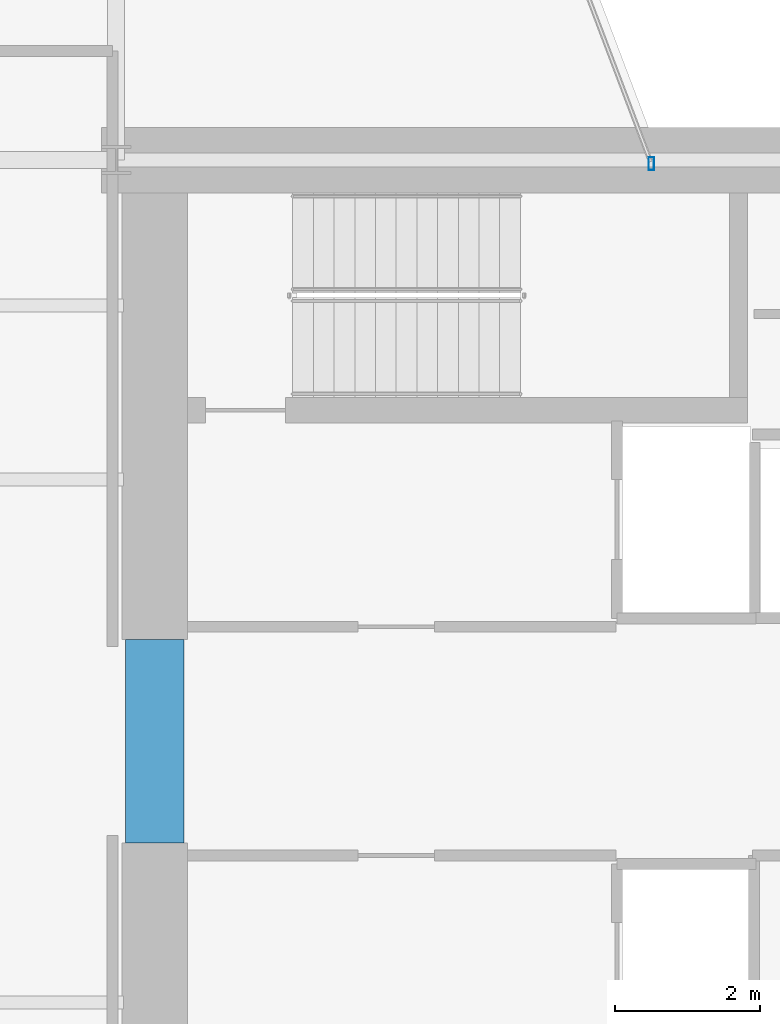
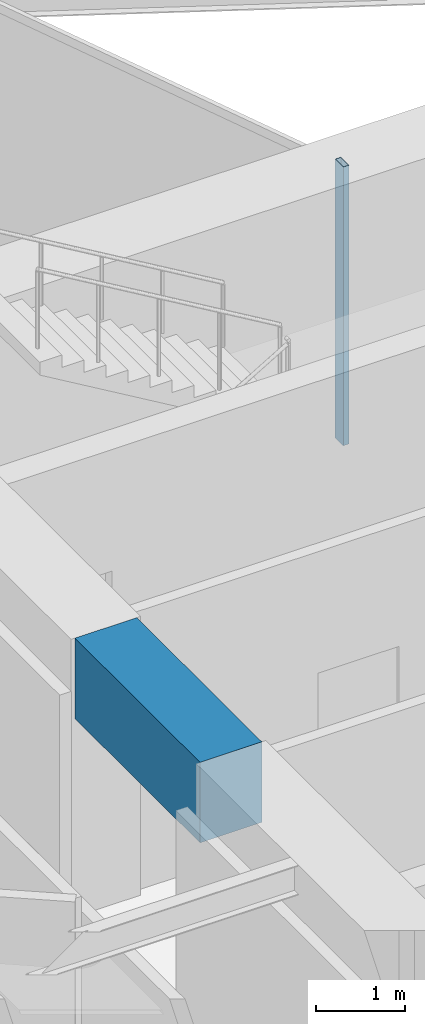
# One storey, part 16 of 30: 1 beam, 1 member, 1 element without a shape of its own.
"""IFC4 building model written with IfcOpenShell, lengths in metres."""

from ifc_helpers import new_model, si_unit, direction, frame, origin, origin_2d, place, context, subcontext, project, spatial, rectangle, hollow_rectangle, extrude, material, layer, layer_set, material_profile, profile_set, type_object, element, aggregate, save


model = new_model("IFC4")

# Units and contexts
model_context = context("Model", 3, precision=1e-05, world=origin(), true_north=direction((0.0, 1.0)))
body_context = subcontext(model_context, "Body", "Model", "MODEL_VIEW")
ifc_project = project(units=[si_unit("LENGTHUNIT", "METRE"), si_unit("AREAUNIT", "SQUARE_METRE"), si_unit("VOLUMEUNIT", "CUBIC_METRE"), si_unit("PLANEANGLEUNIT", "RADIAN"), si_unit("MASSUNIT", "GRAM", prefix="KILO")], contexts=[model_context])

# Site, building, storey
site_placement = place(None, origin())
site = spatial("IfcSite", under=ifc_project, at=site_placement, CompositionType="ELEMENT")
building_placement = place(site_placement, origin())
building = spatial("IfcBuilding", under=site, at=building_placement, Name="Veymaron Broadcast Tower", CompositionType="ELEMENT")
storey_placement = place(building_placement, frame((0.0, 0.0, 37.800048828125)))
storey = spatial("IfcBuildingStorey", under=building, at=storey_placement, Name="L07", CompositionType="ELEMENT", Elevation=37.800048828125)

# Beam
ifc_material_1 = material(Name="Concrete C70/85", Category="concrete")
ifc_material_profile_1 = material_profile(ifc_material_1, rectangle(XDim=0.800048828125, YDim=1.10009765625, at=origin_2d()), Name="RC800X1100")
ifc_profile_set_1 = profile_set([ifc_material_profile_1], Name="Concrete C70/85")
beam_type = type_object("IfcBeamType", Name="BM-CB1", PredefinedType="LINTEL", material=ifc_profile_set_1)
beam_placement = place(storey_placement, frame((39.530029296875, 22.60009765625, 3.260009765625), z_axis=(0.0, 1.0, 0.0), x_axis=(-1.0, 0.0, 0.0)))
element("IfcBeam", 1, at=beam_placement, inside=storey, type_object=beam_type, Name="L07 Core Wall west coupling beam", PredefinedType="LINTEL", context=body_context, shape_type="SweptSolid", body=[
    extrude(rectangle(XDim=0.800048828125, YDim=1.10009765625, at=origin_2d()), origin(), (0.0, 0.0, 1.0), 2.7998046875),
])

# Curtain wall, member
ifc_material_2 = material(Name="Anodised aluminium AA 6063-T6 and laminated low-E dark glass", Category="aluminium")
ifc_layer = layer(ifc_material_2, 0.179931640625)
ifc_layer_set = layer_set([ifc_layer], Name="Anodised aluminium AA 6063-T6 and laminated low-E dark glass")
curtain_wall_type = type_object("IfcCurtainWallType", Name="CW-SYS-02", PredefinedType="NOTDEFINED", material=ifc_layer_set)
curtain_wall_placement = place(storey_placement, origin())
curtain_wall = element("IfcCurtainWall", 2, at=curtain_wall_placement, inside=storey, type_object=curtain_wall_type, Name="L07 dark-glass curtain wall CW-L07-E5-1", PredefinedType="NOTDEFINED")
ifc_material_3 = material(Name="Anodised aluminium AA 6063-T6", Category="aluminium")
ifc_material_profile_2 = material_profile(ifc_material_3, hollow_rectangle(XDim=0.074951171875, YDim=0.179931640625, WallThickness=0.0048828125, at=origin_2d()), Name="AL180X75X5")
ifc_profile_set_2 = profile_set([ifc_material_profile_2], Name="Anodised aluminium AA 6063-T6")
member_type = type_object("IfcMemberType", Name="CW-MUL-02", PredefinedType="MULLION", material=ifc_profile_set_2)
member_placement = place(storey_placement, frame((46.3662109375, 31.950439453125, 0.0), z_axis=(0.0, 0.0, 1.0), x_axis=(1.0, 0.0, 0.0)))
member = element("IfcMember", 3, at=member_placement, type_object=member_type, Name="CW-L07-E5-1 mullion 0", PredefinedType="MULLION", context=body_context, shape_type="SweptSolid", body=[
    extrude(hollow_rectangle(XDim=0.074951171875, YDim=0.179931640625, WallThickness=0.0048828125, at=origin_2d()), origin(), (0.0, 0.0, 1.0), 3.81005859375),
])
aggregate(curtain_wall, [member])

save(model, "model.ifc")
